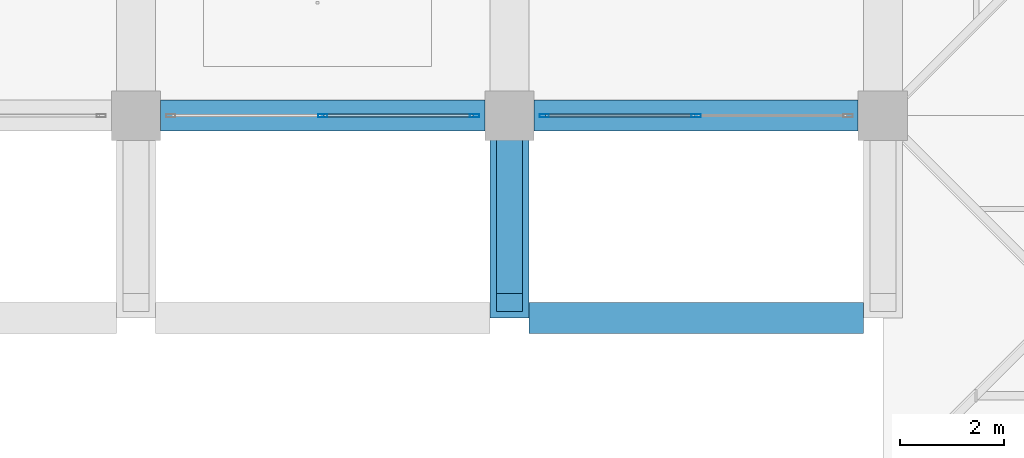
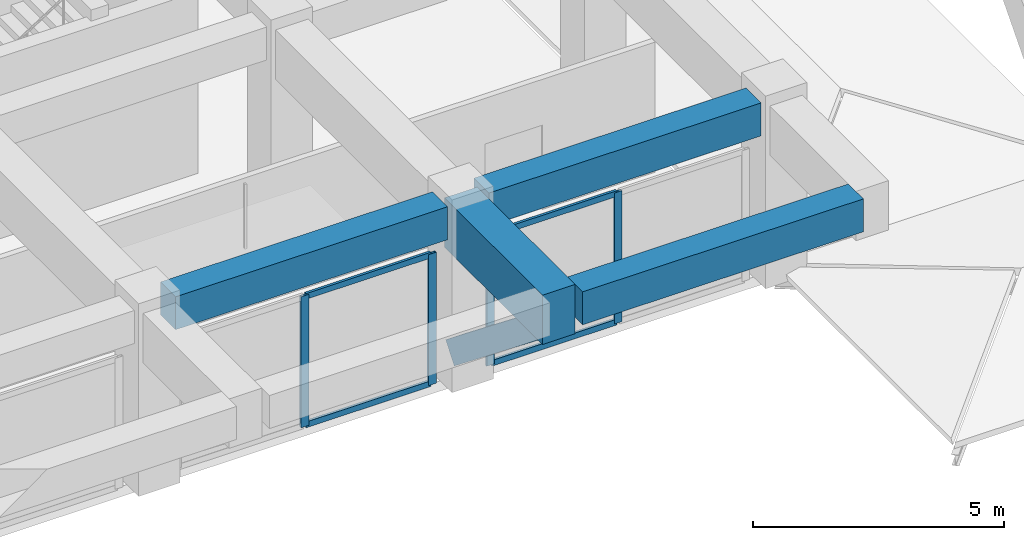
# One storey, part 16 of 54: 9 members, 4 beams, 2 elements without a shape of their own.
"""IFC4 building model written with IfcOpenShell, lengths in metres."""

from ifc_helpers import new_model, si_unit, direction, frame, origin, origin_2d, place, context, subcontext, project, spatial, rectangle, hollow_rectangle, extrude, material, material_profile, profile_set, type_object, element, aggregate, save


model = new_model("IFC4")

# Units and contexts
model_context = context("Model", 3, precision=1e-05, world=origin(), true_north=direction((0.0, 1.0)))
body_context = subcontext(model_context, "Body", "Model", "MODEL_VIEW")
ifc_project = project(units=[si_unit("LENGTHUNIT", "METRE"), si_unit("AREAUNIT", "SQUARE_METRE"), si_unit("VOLUMEUNIT", "CUBIC_METRE"), si_unit("PLANEANGLEUNIT", "RADIAN"), si_unit("MASSUNIT", "GRAM", prefix="KILO")], contexts=[model_context])

# Site, building, storey
site_placement = place(None, origin())
site = spatial("IfcSite", under=ifc_project, at=site_placement, CompositionType="ELEMENT")
building_placement = place(site_placement, origin())
building = spatial("IfcBuilding", under=site, at=building_placement, Name="Kazehaya Institute of Natural Sciences", CompositionType="ELEMENT")
storey_placement = place(building_placement, frame((0.0, 0.0, 10.43994140625)))
storey = spatial("IfcBuildingStorey", under=building, at=storey_placement, Name="L02", CompositionType="ELEMENT", Elevation=10.43994140625)

# Beams
ifc_material_1 = material(Name="Concrete Fc36", Category="concrete")
ifc_material_profile_1 = material_profile(ifc_material_1, rectangle(XDim=0.60009765625, YDim=0.800048828125, at=origin_2d()), Name="RC-600x800")
ifc_profile_set_1 = profile_set([ifc_material_profile_1], Name="Concrete Fc36")
beam_type_1 = type_object("IfcBeamType", Name="BM-G-600x800", PredefinedType="BEAM", material=ifc_profile_set_1)
beam_1_placement = place(storey_placement, frame((112.574951171875, 10.10009765625, 4.010009765625), z_axis=(1.0, 0.0, 0.0), x_axis=(0.0, 1.0, 0.0)))
element("IfcBeam", 1, at=beam_1_placement, inside=storey, type_object=beam_type_1, Name="L02 primary X girder BMX-L02-1122-101", PredefinedType="BEAM", context=body_context, shape_type="SweptSolid", body=[
    extrude(rectangle(XDim=0.60009765625, YDim=0.800048828125, at=origin_2d()), origin(), (0.0, 0.0, 1.0), 6.449951171875),
])
for number, where, z_axis, x_axis, name in (
    (2, (105.47509765625, 14.0, 4.010009765625), (1.0, 0.0, 0.0), (0.0, 1.0, 0.0), "L02 primary X girder BMX-L02-1050-140"),
    (3, (112.675048828125, 14.0, 4.010009765625), (1.0, 0.0, 0.0), (0.0, 1.0, 0.0), "L02 primary X girder BMX-L02-1122-140"),
):
    element("IfcBeam", number, at=place(storey_placement, frame(where, z_axis=z_axis, x_axis=x_axis)), inside=storey, type_object=beam_type_1, Name=name, PredefinedType="BEAM", context=body_context, shape_type="SweptSolid", body=[
        extrude(rectangle(XDim=0.60009765625, YDim=0.800048828125, at=origin_2d()), origin(), (0.0, 0.0, 1.0), 6.25),
    ])
ifc_material_2 = material(Name="Concrete Fc42", Category="concrete")
ifc_material_profile_2 = material_profile(ifc_material_2, rectangle(XDim=0.75, YDim=1.199951171875, at=origin_2d()), Name="RC-750x1200")
ifc_profile_set_2 = profile_set([ifc_material_profile_2], Name="Concrete Fc42")
beam_type_2 = type_object("IfcBeamType", Name="BM-TG-750x1200", PredefinedType="BEAM", material=ifc_profile_set_2)
beam_2_placement = place(storey_placement, frame((112.199951171875, 10.10009765625, 3.81005859375), z_axis=(0.0, 1.0, 0.0), x_axis=(-1.0, 0.0, 0.0)))
element("IfcBeam", 4, at=beam_2_placement, inside=storey, type_object=beam_type_2, Name="L02 cantilever transfer girder 1264", PredefinedType="BEAM", context=body_context, shape_type="SweptSolid", body=[
    extrude(rectangle(XDim=0.75, YDim=1.199951171875, at=origin_2d()), origin(), (0.0, 0.0, 1.0), 3.89990234375),
])

# Curtain wall, members
ifc_material_3 = material(Name="Aluminium alloy A6063S-T5", Category="aluminium")
curtain_wall_type = type_object("IfcCurtainWallType", Name="CW-SYS-03", PredefinedType="NOTDEFINED", material=ifc_material_3)
curtain_wall_1_placement = place(storey_placement, origin())
curtain_wall_1 = element("IfcCurtainWall", 5, at=curtain_wall_1_placement, inside=storey, type_object=curtain_wall_type, Name="L02 unitised curtain wall CW-L02-048", PredefinedType="NOTDEFINED")
ifc_material_profile_3 = material_profile(ifc_material_3, hollow_rectangle(XDim=0.06005859375, YDim=0.179931640625, WallThickness=0.00390625, at=origin_2d()), Name="ALU-60x180x4")
ifc_profile_set_3 = profile_set([ifc_material_profile_3], Name="Aluminium alloy A6063S-T5")
member_type_1 = type_object("IfcMemberType", Name="CWM-180", PredefinedType="MULLION", material=ifc_profile_set_3)
member_1_placement = place(storey_placement, frame((115.800048828125, 14.0, 0.0), z_axis=(0.0, 0.0, 1.0), x_axis=(0.0, -1.0, 0.0)))
member_1 = element("IfcMember", 6, at=member_1_placement, type_object=member_type_1, Name="CW03 mullion 2", PredefinedType="MULLION", context=body_context, shape_type="SweptSolid", body=[
    extrude(hollow_rectangle(XDim=0.06005859375, YDim=0.179931640625, WallThickness=0.00390625, at=origin_2d()), origin(), (0.0, 0.0, 1.0), 3.18017578125),
])
member_2_placement = place(storey_placement, frame((112.8701171875, 14.0, 0.0), z_axis=(0.0, 0.0, 1.0), x_axis=(0.0, -1.0, 0.0)))
member_2 = element("IfcMember", 7, at=member_2_placement, type_object=member_type_1, Name="CW03 mullion 3", PredefinedType="MULLION", context=body_context, shape_type="SweptSolid", body=[
    extrude(hollow_rectangle(XDim=0.06005859375, YDim=0.179931640625, WallThickness=0.00390625, at=origin_2d()), origin(), (0.0, 0.0, 1.0), 3.18017578125),
])

curtain_wall_2_placement = place(storey_placement, origin())
curtain_wall_2 = element("IfcCurtainWall", 8, at=curtain_wall_2_placement, inside=storey, type_object=curtain_wall_type, Name="L02 unitised curtain wall CW-L02-049", PredefinedType="NOTDEFINED")
member_3_placement = place(storey_placement, frame((111.530029296875, 14.0, 0.0), z_axis=(0.0, 0.0, 1.0), x_axis=(0.0, -1.0, 0.0)))
member_3 = element("IfcMember", 9, at=member_3_placement, type_object=member_type_1, Name="CW03 mullion 1", PredefinedType="MULLION", context=body_context, shape_type="SweptSolid", body=[
    extrude(hollow_rectangle(XDim=0.06005859375, YDim=0.179931640625, WallThickness=0.00390625, at=origin_2d()), origin(), (0.0, 0.0, 1.0), 3.18017578125),
])
member_4_placement = place(storey_placement, frame((108.60009765625, 14.0, 0.0), z_axis=(0.0, 0.0, 1.0), x_axis=(0.0, -1.0, 0.0)))
member_4 = element("IfcMember", 10, at=member_4_placement, type_object=member_type_1, Name="CW03 mullion 2", PredefinedType="MULLION", context=body_context, shape_type="SweptSolid", body=[
    extrude(hollow_rectangle(XDim=0.06005859375, YDim=0.179931640625, WallThickness=0.00390625, at=origin_2d()), origin(), (0.0, 0.0, 1.0), 3.18017578125),
])

# Member
ifc_material_profile_4 = material_profile(ifc_material_3, hollow_rectangle(XDim=0.06005859375, YDim=0.139892578125, WallThickness=0.00341796875, at=origin_2d()), Name="ALU-60x140x3.5")
ifc_profile_set_4 = profile_set([ifc_material_profile_4], Name="Aluminium alloy A6063S-T5")
member_type_2 = type_object("IfcMemberType", Name="CWT-140", PredefinedType="USERDEFINED", material=ifc_profile_set_4)
member_5_placement = place(storey_placement, frame((115.77001953125, 14.0, 0.030029296875), z_axis=(-1.0, 0.0, 0.0), x_axis=(0.0, -1.0, 0.0)))
member_5 = element("IfcMember", 11, at=member_5_placement, type_object=member_type_2, Name="CW03 transom 2.1", ObjectType="TRANSOM", PredefinedType="USERDEFINED", context=body_context, shape_type="SweptSolid", body=[
    extrude(hollow_rectangle(XDim=0.06005859375, YDim=0.139892578125, WallThickness=0.00341796875, at=origin_2d()), origin(), (0.0, 0.0, 1.0), 2.8701171875),
])

member_6_placement = place(storey_placement, frame((115.77001953125, 14.0, 3.150146484375), z_axis=(-1.0, 0.0, 0.0), x_axis=(0.0, -1.0, 0.0)))
member_6 = element("IfcMember", 12, at=member_6_placement, type_object=member_type_2, Name="CW03 transom 2.2", ObjectType="TRANSOM", PredefinedType="USERDEFINED", context=body_context, shape_type="SweptSolid", body=[
    extrude(hollow_rectangle(XDim=0.06005859375, YDim=0.139892578125, WallThickness=0.00341796875, at=origin_2d()), origin(), (0.0, 0.0, 1.0), 2.8701171875),
])

aggregate(curtain_wall_1, [member_1, member_2, member_5, member_6])

member_7_placement = place(storey_placement, frame((111.5, 14.0, 0.030029296875), z_axis=(-1.0, 0.0, 0.0), x_axis=(0.0, -1.0, 0.0)))
member_7 = element("IfcMember", 13, at=member_7_placement, type_object=member_type_2, Name="CW03 transom 1.1", ObjectType="TRANSOM", PredefinedType="USERDEFINED", context=body_context, shape_type="SweptSolid", body=[
    extrude(hollow_rectangle(XDim=0.06005859375, YDim=0.139892578125, WallThickness=0.00341796875, at=origin_2d()), origin(), (0.0, 0.0, 1.0), 2.8701171875),
])

member_8_placement = place(storey_placement, frame((111.5, 14.0, 3.150146484375), z_axis=(-1.0, 0.0, 0.0), x_axis=(0.0, -1.0, 0.0)))
member_8 = element("IfcMember", 14, at=member_8_placement, type_object=member_type_2, Name="CW03 transom 1.2", ObjectType="TRANSOM", PredefinedType="USERDEFINED", context=body_context, shape_type="SweptSolid", body=[
    extrude(hollow_rectangle(XDim=0.06005859375, YDim=0.139892578125, WallThickness=0.00341796875, at=origin_2d()), origin(), (0.0, 0.0, 1.0), 2.8701171875),
])

aggregate(curtain_wall_2, [member_3, member_4, member_7, member_8])

ifc_material_profile_5 = material_profile(ifc_material_2, rectangle(XDim=0.5, YDim=0.550048828125, at=origin_2d()), Name="RC-500x550")
ifc_profile_set_5 = profile_set([ifc_material_profile_5], Name="Concrete Fc42")
member_type_3 = type_object("IfcMemberType", Name="MEM-STRUT-RC500", PredefinedType="BRACE", material=ifc_profile_set_5)
member_9_placement = place(storey_placement, frame((112.199951171875, 14.0, 0.60009765625), z_axis=(0.0, -0.783008919264, 0.622010476079), x_axis=(1.0, 0.0, 0.0)))
element("IfcMember", 15, at=member_9_placement, inside=storey, type_object=member_type_3, Name="L02 raked cantilever strut 009", PredefinedType="BRACE", context=body_context, shape_type="SweptSolid", body=[
    extrude(rectangle(XDim=0.5, YDim=0.550048828125, at=origin_2d()), origin(), (0.0, 0.0, 1.0), 4.59765625),
])

save(model, "model.ifc")
